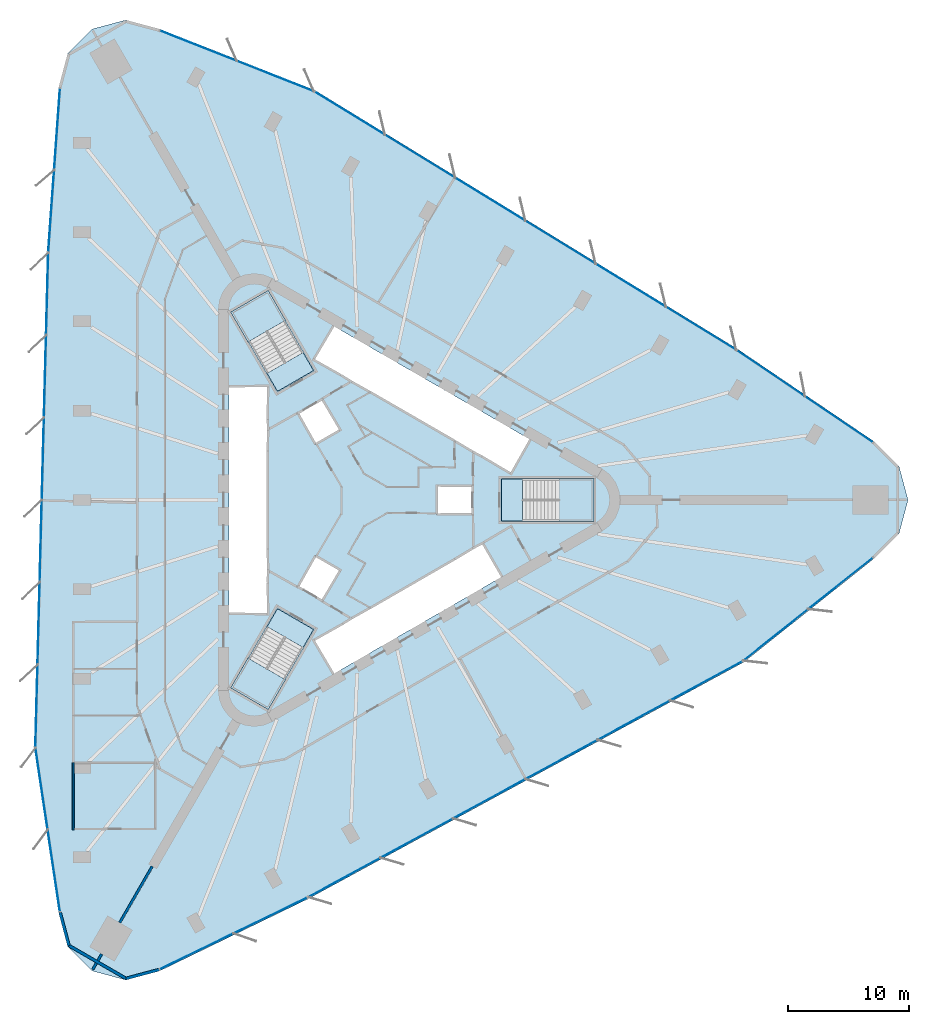
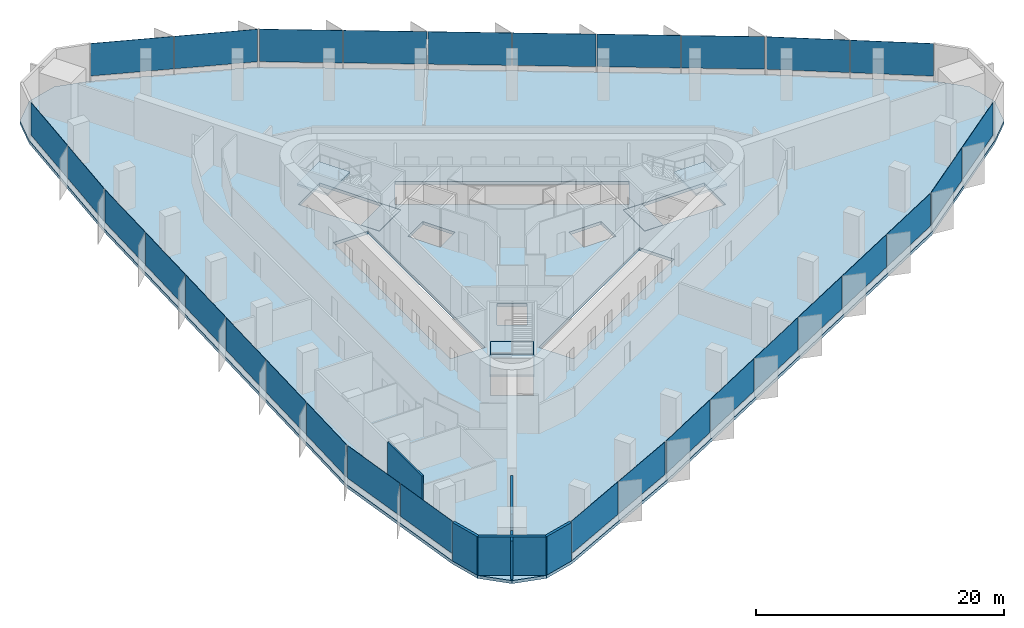
# One storey, part 7 of 13: 30 plates, 7 slabs, 7 walls, 12 elements without a shape of their own.
"""IFC4 building model written with IfcOpenShell, lengths in metres."""

from ifc_helpers import new_model, si_unit, direction, frame, frame_2d, origin, origin_2d, place, context, subcontext, project, spatial, polyline, rectangle, outline, extrude, material, layer, layer_set, type_object, element, aggregate, save


model = new_model("IFC4")

# Units and contexts
model_context = context("Model", 3, precision=1e-05, world=origin(), true_north=direction((0.0, 1.0)))
body_context = subcontext(model_context, "Body", "Model", "MODEL_VIEW")
ifc_project = project(units=[si_unit("LENGTHUNIT", "METRE"), si_unit("AREAUNIT", "SQUARE_METRE"), si_unit("VOLUMEUNIT", "CUBIC_METRE"), si_unit("PLANEANGLEUNIT", "RADIAN"), si_unit("MASSUNIT", "GRAM", prefix="KILO")], contexts=[model_context])

# Site, building, storey
site_placement = place(None, origin())
site = spatial("IfcSite", under=ifc_project, at=site_placement, CompositionType="ELEMENT")
building_placement = place(site_placement, origin())
building = spatial("IfcBuilding", under=site, at=building_placement, Name="Tanit Gate Tower", CompositionType="ELEMENT")
storey_placement = place(building_placement, frame((0.0, 0.0, 61.89990234375)))
storey = spatial("IfcBuildingStorey", under=building, at=storey_placement, Name="L11", CompositionType="ELEMENT", Elevation=61.89990234375)

# Slab
ifc_material_1 = material(Name="Concrete C35/45", Category="concrete")
ifc_layer_1 = layer(ifc_material_1, 0.300048828125)
ifc_layer_set_1 = layer_set([ifc_layer_1], Name="FLOOR SLAB 300 C35/45")
slab_type_1 = type_object("IfcSlabType", Name="FLOOR SLAB 300 C35/45", PredefinedType="FLOOR", material=ifc_layer_set_1)
slab_1_placement = place(storey_placement, frame((0.0, 0.0, -0.2998046875)))
element("IfcSlab", 1, at=slab_1_placement, inside=storey, type_object=slab_type_1, Name="FLOOR SLAB L11", PredefinedType="FLOOR", context=body_context, shape_type="SweptSolid", body=[
    extrude(outline(polyline([(42.225830078125, 4.82861328125), (44.2666015625, 2.78759765625), (45.013671875, 0.0), (44.2666015625, -2.78759765625), (42.225830078125, -4.82861328125), (31.4150390625, -13.427001953125), (-4.61083984375, -32.999267578125), (-16.931396484375, -38.98291015625), (-19.718994140625, -39.72998046875), (-22.5068359375, -38.98291015625), (-24.547607421875, -36.942138671875), (-25.29443359375, -34.154541015625), (-27.335693359375, -20.49267578125), (-26.272705078125, 20.49267578125), (-25.29443359375, 34.154541015625), (-24.547607421875, 36.942138671875), (-22.5068359375, 38.98291015625), (-19.718994140625, 39.72998046875), (-16.931396484375, 38.98291015625), (-4.079345703125, 33.919677734375), (30.883544921875, 12.506591796875), (42.225830078125, 4.82861328125)]), holes=[polyline([(11.3701171875, 1.72998046875), (18.929931640625, 1.72998046875), (18.929931640625, -1.72998046875), (11.3701171875, -1.72998046875), (11.3701171875, 1.72998046875)]), polyline([(-4.208984375, 11.60986328125), (-2.583984375, 14.424560546875), (13.783935546875, 4.974609375), (12.158935546875, 2.159912109375), (-4.208984375, 11.60986328125)]), polyline([(-4.208984375, -11.60986328125), (9.82080078125, -3.510009765625), (11.44580078125, -6.324462890625), (-2.583984375, -14.424560546875), (-4.208984375, -11.60986328125)]), polyline([(9.0, 1.199951171875), (9.0, -1.199951171875), (6.0, -1.199951171875), (6.0, 1.199951171875), (9.0, 1.199951171875)]), polyline([(-5.539306640625, 7.194091796875), (-3.460693359375, 8.394287109375), (-1.960693359375, 5.796142578125), (-4.039306640625, 4.59619140625), (-5.539306640625, 7.194091796875)]), polyline([(-1.960693359375, -5.796142578125), (-3.460693359375, -8.394287109375), (-5.539306640625, -7.194091796875), (-4.039306640625, -4.59619140625), (-1.960693359375, -5.796142578125)]), polyline([(-10.963134765625, 15.52880859375), (-7.966796875, 17.2587890625), (-4.186767578125, 10.711669921875), (-7.18310546875, 8.981689453125), (-10.963134765625, 15.52880859375)]), polyline([(-4.186767578125, -10.711669921875), (-7.966796875, -17.2587890625), (-10.963134765625, -15.52880859375), (-7.18310546875, -8.981689453125), (-4.186767578125, -10.711669921875)]), polyline([(-11.199951171875, -9.449951171875), (-11.199951171875, 9.449951171875), (-7.949951171875, 9.449951171875), (-7.949951171875, -9.449951171875), (-11.199951171875, -9.449951171875)])]), origin(), (0.0, 0.0, 1.0), 0.2998046875),
])

# Curtain wall, plates
ifc_material_2 = material(Name="Aluminium bronze anodised and glass", Category="aluminium")
curtain_wall_type = type_object("IfcCurtainWallType", Name="Curtain wall typical low", PredefinedType="NOTDEFINED", material=ifc_material_2)
curtain_wall_1_placement = place(storey_placement, origin())
curtain_wall_1 = element("IfcCurtainWall", 2, at=curtain_wall_1_placement, inside=storey, type_object=curtain_wall_type, Name="Curtain wall L11 NE1", PredefinedType="NOTDEFINED")
ifc_material_3 = material(Name="Glass tinted", Category="glass")
ifc_layer_2 = layer(ifc_material_3, 0.031982421875)
ifc_layer_set_2 = layer_set([ifc_layer_2], Name="Glass panel 32 typical low")
plate_type = type_object("IfcPlateType", Name="Glass panel 32 typical low", PredefinedType="CURTAIN_PANEL", material=ifc_layer_set_2)
plate_1_placement = place(storey_placement, frame((39.300048828125, 6.664306640625, 0.60009765625), z_axis=(0.0, 0.0, 1.0), x_axis=(-0.828104509627, 0.560573742816, 0.0)))
plate_1 = element("IfcPlate", 3, at=plate_1_placement, type_object=plate_type, Name="Glass panel L11 NE1.1", PredefinedType="CURTAIN_PANEL", context=body_context, shape_type="SweptSolid", body=[
    extrude(rectangle(XDim=6.72119140625, YDim=0.031982421875, at=origin_2d()), origin(), (0.0, 0.0, 1.0), 3.199951171875),
])
plate_2_placement = place(storey_placement, frame((33.667724609375, 10.476806640625, 0.60009765625), z_axis=(0.0, 0.0, 1.0), x_axis=(-0.828104509627, 0.560573742816, 0.0)))
plate_2 = element("IfcPlate", 4, at=plate_2_placement, type_object=plate_type, Name="Glass panel L11 NE1.2", PredefinedType="CURTAIN_PANEL", context=body_context, shape_type="SweptSolid", body=[
    extrude(rectangle(XDim=6.72119140625, YDim=0.031982421875, at=origin_2d()), origin(), (0.0, 0.0, 1.0), 3.199951171875),
])
aggregate(curtain_wall_1, [plate_1, plate_2])

curtain_wall_2_placement = place(storey_placement, origin())
curtain_wall_2 = element("IfcCurtainWall", 5, at=curtain_wall_2_placement, inside=storey, type_object=curtain_wall_type, Name="Curtain wall L11 NE2", PredefinedType="NOTDEFINED")
plate_3_placement = place(storey_placement, frame((27.87744140625, 14.206787109375, 0.60009765625), z_axis=(0.0, 0.0, 1.0), x_axis=(-0.852772356127, 0.522282786071, 0.0)))
plate_3 = element("IfcPlate", 6, at=plate_3_placement, type_object=plate_type, Name="Glass panel L11 NE2.1", PredefinedType="CURTAIN_PANEL", context=body_context, shape_type="SweptSolid", body=[
    extrude(rectangle(XDim=6.73779296875, YDim=0.031982421875, at=origin_2d()), origin(), (0.0, 0.0, 1.0), 3.199951171875),
])
plate_4_placement = place(storey_placement, frame((22.0634765625, 17.767578125, 0.60009765625), z_axis=(0.0, 0.0, 1.0), x_axis=(-0.852772356127, 0.522282786071, 0.0)))
plate_4 = element("IfcPlate", 7, at=plate_4_placement, type_object=plate_type, Name="Glass panel L11 NE2.2", PredefinedType="CURTAIN_PANEL", context=body_context, shape_type="SweptSolid", body=[
    extrude(rectangle(XDim=6.737548828125, YDim=0.031982421875, at=origin_2d()), origin(), (0.0, 0.0, 1.0), 3.199951171875),
])
plate_5_placement = place(storey_placement, frame((16.249755859375, 21.328369140625, 0.60009765625), z_axis=(0.0, 0.0, 1.0), x_axis=(-0.852772356127, 0.522282786071, 0.0)))
plate_5 = element("IfcPlate", 8, at=plate_5_placement, type_object=plate_type, Name="Glass panel L11 NE2.3", PredefinedType="CURTAIN_PANEL", context=body_context, shape_type="SweptSolid", body=[
    extrude(rectangle(XDim=6.73779296875, YDim=0.031982421875, at=origin_2d()), origin(), (0.0, 0.0, 1.0), 3.199951171875),
])
plate_6_placement = place(storey_placement, frame((10.435791015625, 24.88916015625, 0.60009765625), z_axis=(0.0, 0.0, 1.0), x_axis=(-0.852772356127, 0.522282786071, 0.0)))
plate_6 = element("IfcPlate", 9, at=plate_6_placement, type_object=plate_type, Name="Glass panel L11 NE2.4", PredefinedType="CURTAIN_PANEL", context=body_context, shape_type="SweptSolid", body=[
    extrude(rectangle(XDim=6.737548828125, YDim=0.031982421875, at=origin_2d()), origin(), (0.0, 0.0, 1.0), 3.199951171875),
])
plate_7_placement = place(storey_placement, frame((4.621826171875, 28.449951171875, 0.60009765625), z_axis=(0.0, 0.0, 1.0), x_axis=(-0.852772356127, 0.522282786071, 0.0)))
plate_7 = element("IfcPlate", 10, at=plate_7_placement, type_object=plate_type, Name="Glass panel L11 NE2.5", PredefinedType="CURTAIN_PANEL", context=body_context, shape_type="SweptSolid", body=[
    extrude(rectangle(XDim=6.73779296875, YDim=0.031982421875, at=origin_2d()), origin(), (0.0, 0.0, 1.0), 3.199951171875),
])
plate_8_placement = place(storey_placement, frame((-1.192138671875, 32.010498046875, 0.60009765625), z_axis=(0.0, 0.0, 1.0), x_axis=(-0.852772356127, 0.522282786071, 0.0)))
plate_8 = element("IfcPlate", 11, at=plate_8_placement, type_object=plate_type, Name="Glass panel L11 NE2.6", PredefinedType="CURTAIN_PANEL", context=body_context, shape_type="SweptSolid", body=[
    extrude(rectangle(XDim=6.737548828125, YDim=0.031982421875, at=origin_2d()), origin(), (0.0, 0.0, 1.0), 3.199951171875),
])
aggregate(curtain_wall_2, [plate_3, plate_4, plate_5, plate_6, plate_7, plate_8])

curtain_wall_3_placement = place(storey_placement, origin())
curtain_wall_3 = element("IfcCurtainWall", 12, at=curtain_wall_3_placement, inside=storey, type_object=curtain_wall_type, Name="Curtain wall L11 NE3", PredefinedType="NOTDEFINED")
plate_9_placement = place(storey_placement, frame((-7.36083984375, 35.08349609375, 0.60009765625), z_axis=(0.0, 0.0, 1.0), x_axis=(-0.930399205113, 0.366547840159, 0.0)))
plate_9 = element("IfcPlate", 13, at=plate_9_placement, type_object=plate_type, Name="Glass panel L11 NE3.1", PredefinedType="CURTAIN_PANEL", context=body_context, shape_type="SweptSolid", body=[
    extrude(rectangle(XDim=6.778076171875, YDim=0.031982421875, at=origin_2d()), origin(), (0.0, 0.0, 1.0), 3.199951171875),
])
plate_10_placement = place(storey_placement, frame((-13.741455078125, 37.59716796875, 0.60009765625), z_axis=(0.0, 0.0, 1.0), x_axis=(-0.930399205113, 0.366547840159, 0.0)))
plate_10 = element("IfcPlate", 14, at=plate_10_placement, type_object=plate_type, Name="Glass panel L11 NE3.2", PredefinedType="CURTAIN_PANEL", context=body_context, shape_type="SweptSolid", body=[
    extrude(rectangle(XDim=6.778076171875, YDim=0.031982421875, at=origin_2d()), origin(), (0.0, 0.0, 1.0), 3.199951171875),
])
aggregate(curtain_wall_3, [plate_9, plate_10])

curtain_wall_4_placement = place(storey_placement, origin())
curtain_wall_4 = element("IfcCurtainWall", 15, at=curtain_wall_4_placement, inside=storey, type_object=curtain_wall_type, Name="Curtain wall L11 W1", PredefinedType="NOTDEFINED")
plate_11_placement = place(storey_placement, frame((-25.42138671875, 30.70263671875, 0.60009765625), z_axis=(0.0, 0.0, 1.0), x_axis=(-0.07141884716, -0.997446413734, 0.0)))
plate_11 = element("IfcPlate", 16, at=plate_11_placement, type_object=plate_type, Name="Glass panel L11 W1.1", PredefinedType="CURTAIN_PANEL", context=body_context, shape_type="SweptSolid", body=[
    extrude(rectangle(XDim=6.72119140625, YDim=0.031982421875, at=origin_2d()), origin(), (0.0, 0.0, 1.0), 3.199951171875),
])
plate_12_placement = place(storey_placement, frame((-25.9072265625, 23.918701171875, 0.60009765625), z_axis=(0.0, 0.0, 1.0), x_axis=(-0.07141884716, -0.997446413734, 0.0)))
plate_12 = element("IfcPlate", 17, at=plate_12_placement, type_object=plate_type, Name="Glass panel L11 W1.2", PredefinedType="CURTAIN_PANEL", context=body_context, shape_type="SweptSolid", body=[
    extrude(rectangle(XDim=6.72119140625, YDim=0.031982421875, at=origin_2d()), origin(), (0.0, 0.0, 1.0), 3.199951171875),
])
aggregate(curtain_wall_4, [plate_11, plate_12])

curtain_wall_5_placement = place(storey_placement, origin())
curtain_wall_5 = element("IfcCurtainWall", 18, at=curtain_wall_5_placement, inside=storey, type_object=curtain_wall_type, Name="Curtain wall L11 W2", PredefinedType="NOTDEFINED")
plate_13_placement = place(storey_placement, frame((-26.2421875, 17.0390625, 0.60009765625), z_axis=(0.0, 0.0, 1.0), x_axis=(-0.025923982634, -0.999663917086, 0.0)))
plate_13 = element("IfcPlate", 19, at=plate_13_placement, type_object=plate_type, Name="Glass panel L11 W2.1", PredefinedType="CURTAIN_PANEL", context=body_context, shape_type="SweptSolid", body=[
    extrude(rectangle(XDim=6.73779296875, YDim=0.031982421875, at=origin_2d()), origin(), (0.0, 0.0, 1.0), 3.199951171875),
])
plate_14_placement = place(storey_placement, frame((-26.4189453125, 10.223876953125, 0.60009765625), z_axis=(0.0, 0.0, 1.0), x_axis=(-0.025923982634, -0.999663917086, 0.0)))
plate_14 = element("IfcPlate", 20, at=plate_14_placement, type_object=plate_type, Name="Glass panel L11 W2.2", PredefinedType="CURTAIN_PANEL", context=body_context, shape_type="SweptSolid", body=[
    extrude(rectangle(XDim=6.737548828125, YDim=0.031982421875, at=origin_2d()), origin(), (0.0, 0.0, 1.0), 3.199951171875),
])
plate_15_placement = place(storey_placement, frame((-26.595703125, 3.408447265625, 0.60009765625), z_axis=(0.0, 0.0, 1.0), x_axis=(-0.025923982634, -0.999663917086, 0.0)))
plate_15 = element("IfcPlate", 21, at=plate_15_placement, type_object=plate_type, Name="Glass panel L11 W2.3", PredefinedType="CURTAIN_PANEL", context=body_context, shape_type="SweptSolid", body=[
    extrude(rectangle(XDim=6.73779296875, YDim=0.031982421875, at=origin_2d()), origin(), (0.0, 0.0, 1.0), 3.199951171875),
])
plate_16_placement = place(storey_placement, frame((-26.7724609375, -3.406982421875, 0.60009765625), z_axis=(0.0, 0.0, 1.0), x_axis=(-0.025923982634, -0.999663917086, 0.0)))
plate_16 = element("IfcPlate", 22, at=plate_16_placement, type_object=plate_type, Name="Glass panel L11 W2.4", PredefinedType="CURTAIN_PANEL", context=body_context, shape_type="SweptSolid", body=[
    extrude(rectangle(XDim=6.737548828125, YDim=0.031982421875, at=origin_2d()), origin(), (0.0, 0.0, 1.0), 3.199951171875),
])
plate_17_placement = place(storey_placement, frame((-26.94921875, -10.22216796875, 0.60009765625), z_axis=(0.0, 0.0, 1.0), x_axis=(-0.025923982634, -0.999663917086, 0.0)))
plate_17 = element("IfcPlate", 23, at=plate_17_placement, type_object=plate_type, Name="Glass panel L11 W2.5", PredefinedType="CURTAIN_PANEL", context=body_context, shape_type="SweptSolid", body=[
    extrude(rectangle(XDim=6.73779296875, YDim=0.031982421875, at=origin_2d()), origin(), (0.0, 0.0, 1.0), 3.199951171875),
])
plate_18_placement = place(storey_placement, frame((-27.1259765625, -17.03759765625, 0.60009765625), z_axis=(0.0, 0.0, 1.0), x_axis=(-0.025923982634, -0.999663917086, 0.0)))
plate_18 = element("IfcPlate", 24, at=plate_18_placement, type_object=plate_type, Name="Glass panel L11 W2.6", PredefinedType="CURTAIN_PANEL", context=body_context, shape_type="SweptSolid", body=[
    extrude(rectangle(XDim=6.737548828125, YDim=0.031982421875, at=origin_2d()), origin(), (0.0, 0.0, 1.0), 3.199951171875),
])
aggregate(curtain_wall_5, [plate_13, plate_14, plate_15, plate_16, plate_17, plate_18])

curtain_wall_6_placement = place(storey_placement, origin())
curtain_wall_6 = element("IfcCurtainWall", 25, at=curtain_wall_6_placement, inside=storey, type_object=curtain_wall_type, Name="Curtain wall L11 W3", PredefinedType="NOTDEFINED")
plate_19_placement = place(storey_placement, frame((-26.702880859375, -23.916259765625, 0.60009765625), z_axis=(0.0, 0.0, 1.0), x_axis=(0.147759861276, -0.989023267368, 0.0)))
plate_19 = element("IfcPlate", 26, at=plate_19_placement, type_object=plate_type, Name="Glass panel L11 W3.1", PredefinedType="CURTAIN_PANEL", context=body_context, shape_type="SweptSolid", body=[
    extrude(rectangle(XDim=6.778076171875, YDim=0.031982421875, at=origin_2d()), origin(), (0.0, 0.0, 1.0), 3.199951171875),
])
plate_20_placement = place(storey_placement, frame((-25.689453125, -30.698974609375, 0.60009765625), z_axis=(0.0, 0.0, 1.0), x_axis=(0.147759861276, -0.989023267368, 0.0)))
plate_20 = element("IfcPlate", 27, at=plate_20_placement, type_object=plate_type, Name="Glass panel L11 W3.2", PredefinedType="CURTAIN_PANEL", context=body_context, shape_type="SweptSolid", body=[
    extrude(rectangle(XDim=6.778076171875, YDim=0.031982421875, at=origin_2d()), origin(), (0.0, 0.0, 1.0), 3.199951171875),
])
aggregate(curtain_wall_6, [plate_19, plate_20])

curtain_wall_7_placement = place(storey_placement, origin())
curtain_wall_7 = element("IfcCurtainWall", 28, at=curtain_wall_7_placement, inside=storey, type_object=curtain_wall_type, Name="Curtain wall L11 SE1", PredefinedType="NOTDEFINED")
plate_21_placement = place(storey_placement, frame((-13.878662109375, -37.366943359375, 0.60009765625), z_axis=(0.0, 0.0, 1.0), x_axis=(0.899523356787, 0.436872670918, 0.0)))
plate_21 = element("IfcPlate", 29, at=plate_21_placement, type_object=plate_type, Name="Glass panel L11 SE1.1", PredefinedType="CURTAIN_PANEL", context=body_context, shape_type="SweptSolid", body=[
    extrude(rectangle(XDim=6.72119140625, YDim=0.031982421875, at=origin_2d()), origin(), (0.0, 0.0, 1.0), 3.199951171875),
])
plate_22_placement = place(storey_placement, frame((-7.7607421875, -34.3955078125, 0.60009765625), z_axis=(0.0, 0.0, 1.0), x_axis=(0.899523356787, 0.436872670918, 0.0)))
plate_22 = element("IfcPlate", 30, at=plate_22_placement, type_object=plate_type, Name="Glass panel L11 SE1.2", PredefinedType="CURTAIN_PANEL", context=body_context, shape_type="SweptSolid", body=[
    extrude(rectangle(XDim=6.72119140625, YDim=0.031982421875, at=origin_2d()), origin(), (0.0, 0.0, 1.0), 3.199951171875),
])
aggregate(curtain_wall_7, [plate_21, plate_22])

curtain_wall_8_placement = place(storey_placement, origin())
curtain_wall_8 = element("IfcCurtainWall", 31, at=curtain_wall_8_placement, inside=storey, type_object=curtain_wall_type, Name="Curtain wall L11 SE2", PredefinedType="NOTDEFINED")
plate_23_placement = place(storey_placement, frame((-1.63525390625, -31.24609375, 0.60009765625), z_axis=(0.0, 0.0, 1.0), x_axis=(0.87869633876, 0.477381131015, 0.0)))
plate_23 = element("IfcPlate", 32, at=plate_23_placement, type_object=plate_type, Name="Glass panel L11 SE2.1", PredefinedType="CURTAIN_PANEL", context=body_context, shape_type="SweptSolid", body=[
    extrude(rectangle(XDim=6.73779296875, YDim=0.031982421875, at=origin_2d()), origin(), (0.0, 0.0, 1.0), 3.199951171875),
])
plate_24_placement = place(storey_placement, frame((4.35546875, -27.991455078125, 0.60009765625), z_axis=(0.0, 0.0, 1.0), x_axis=(0.87869633876, 0.477381131015, 0.0)))
plate_24 = element("IfcPlate", 33, at=plate_24_placement, type_object=plate_type, Name="Glass panel L11 SE2.2", PredefinedType="CURTAIN_PANEL", context=body_context, shape_type="SweptSolid", body=[
    extrude(rectangle(XDim=6.737548828125, YDim=0.031982421875, at=origin_2d()), origin(), (0.0, 0.0, 1.0), 3.199951171875),
])
plate_25_placement = place(storey_placement, frame((10.34619140625, -24.73681640625, 0.60009765625), z_axis=(0.0, 0.0, 1.0), x_axis=(0.87869633876, 0.477381131015, 0.0)))
plate_25 = element("IfcPlate", 34, at=plate_25_placement, type_object=plate_type, Name="Glass panel L11 SE2.3", PredefinedType="CURTAIN_PANEL", context=body_context, shape_type="SweptSolid", body=[
    extrude(rectangle(XDim=6.73779296875, YDim=0.031982421875, at=origin_2d()), origin(), (0.0, 0.0, 1.0), 3.199951171875),
])
plate_26_placement = place(storey_placement, frame((16.336669921875, -21.482177734375, 0.60009765625), z_axis=(0.0, 0.0, 1.0), x_axis=(0.87869633876, 0.477381131015, 0.0)))
plate_26 = element("IfcPlate", 35, at=plate_26_placement, type_object=plate_type, Name="Glass panel L11 SE2.4", PredefinedType="CURTAIN_PANEL", context=body_context, shape_type="SweptSolid", body=[
    extrude(rectangle(XDim=6.737548828125, YDim=0.031982421875, at=origin_2d()), origin(), (0.0, 0.0, 1.0), 3.199951171875),
])
plate_27_placement = place(storey_placement, frame((22.327392578125, -18.2275390625, 0.60009765625), z_axis=(0.0, 0.0, 1.0), x_axis=(0.87869633876, 0.477381131015, 0.0)))
plate_27 = element("IfcPlate", 36, at=plate_27_placement, type_object=plate_type, Name="Glass panel L11 SE2.5", PredefinedType="CURTAIN_PANEL", context=body_context, shape_type="SweptSolid", body=[
    extrude(rectangle(XDim=6.73779296875, YDim=0.031982421875, at=origin_2d()), origin(), (0.0, 0.0, 1.0), 3.199951171875),
])
plate_28_placement = place(storey_placement, frame((28.318115234375, -14.972900390625, 0.60009765625), z_axis=(0.0, 0.0, 1.0), x_axis=(0.87869633876, 0.477381131015, 0.0)))
plate_28 = element("IfcPlate", 37, at=plate_28_placement, type_object=plate_type, Name="Glass panel L11 SE2.6", PredefinedType="CURTAIN_PANEL", context=body_context, shape_type="SweptSolid", body=[
    extrude(rectangle(XDim=6.737548828125, YDim=0.031982421875, at=origin_2d()), origin(), (0.0, 0.0, 1.0), 3.199951171875),
])
aggregate(curtain_wall_8, [plate_23, plate_24, plate_25, plate_26, plate_27, plate_28])

curtain_wall_9_placement = place(storey_placement, origin())
curtain_wall_9 = element("IfcCurtainWall", 38, at=curtain_wall_9_placement, inside=storey, type_object=curtain_wall_type, Name="Curtain wall L11 SE3", PredefinedType="NOTDEFINED")
plate_29_placement = place(storey_placement, frame((34.0634765625, -11.167236328125, 0.60009765625), z_axis=(0.0, 0.0, 1.0), x_axis=(0.782639343837, 0.622475427209, 0.0)))
plate_29 = element("IfcPlate", 39, at=plate_29_placement, type_object=plate_type, Name="Glass panel L11 SE3.1", PredefinedType="CURTAIN_PANEL", context=body_context, shape_type="SweptSolid", body=[
    extrude(rectangle(XDim=6.778076171875, YDim=0.031982421875, at=origin_2d()), origin(), (0.0, 0.0, 1.0), 3.199951171875),
])
plate_30_placement = place(storey_placement, frame((39.430908203125, -6.898193359375, 0.60009765625), z_axis=(0.0, 0.0, 1.0), x_axis=(0.782639343837, 0.622475427209, 0.0)))
plate_30 = element("IfcPlate", 40, at=plate_30_placement, type_object=plate_type, Name="Glass panel L11 SE3.2", PredefinedType="CURTAIN_PANEL", context=body_context, shape_type="SweptSolid", body=[
    extrude(rectangle(XDim=6.778076171875, YDim=0.031982421875, at=origin_2d()), origin(), (0.0, 0.0, 1.0), 3.199951171875),
])
aggregate(curtain_wall_9, [plate_29, plate_30])

# Stair, slab
ifc_material_4 = material(Name="Concrete C40/50", Category="concrete")
stair_type = type_object("IfcStairType", Name="INT-STAIR-EXIT", PredefinedType="HALF_TURN_STAIR", material=ifc_material_4)
stair_1_placement = place(storey_placement, origin())
stair_1 = element("IfcStair", 41, at=stair_1_placement, inside=storey, type_object=stair_type, Name="L11 STAIR S1", PredefinedType="HALF_TURN_STAIR")
ifc_material_5 = material(Name="Concrete C40/50", Category="concrete")
ifc_layer_3 = layer(ifc_material_5, 0.199951171875)
ifc_layer_set_3 = layer_set([ifc_layer_3], Name="INT-STAIR-LANDING")
slab_type_2 = type_object("IfcSlabType", Name="INT-STAIR-LANDING", PredefinedType="LANDING", material=ifc_layer_set_3)
slab_2_placement = place(storey_placement, frame((0.0, 0.0, 1.85009765625)))
slab_2 = element("IfcSlab", 42, at=slab_2_placement, type_object=slab_type_2, Name="S1 landing 1", PredefinedType="LANDING", context=body_context, shape_type="SweptSolid", body=[
    extrude(outline(polyline([(16.135986328125, -1.800048828125), (19.0, -1.800048828125), (19.0, 1.800048828125), (16.135986328125, 1.800048828125), (16.135986328125, -1.800048828125)])), origin(), (0.0, 0.0, 1.0), 0.199951171875),
])
aggregate(stair_1, [slab_2])

# Slab
slab_3_placement = place(storey_placement, frame((0.0, 0.0, -0.199951171875)))
element("IfcSlab", 43, at=slab_3_placement, inside=storey, type_object=slab_type_2, Name="S1 floor landing", PredefinedType="LANDING", context=body_context, shape_type="SweptSolid", body=[
    extrude(outline(polyline([(11.3798828125, -1.719970703125), (13.10498046875, -1.719970703125), (13.10498046875, 1.719970703125), (11.3798828125, 1.719970703125), (11.3798828125, -1.719970703125)])), origin(), (0.0, 0.0, 1.0), 0.199951171875),
])

# Stair, slab
stair_2_placement = place(storey_placement, origin())
stair_2 = element("IfcStair", 44, at=stair_2_placement, inside=storey, type_object=stair_type, Name="L11 STAIR S2", PredefinedType="HALF_TURN_STAIR")
slab_4_placement = place(storey_placement, frame((0.0, 0.0, 1.85009765625)))
slab_4 = element("IfcSlab", 45, at=slab_4_placement, type_object=slab_type_2, Name="S2 landing 1", PredefinedType="LANDING", context=body_context, shape_type="SweptSolid", body=[
    extrude(outline(polyline([(-6.5078125, 14.871826171875), (-7.941162109375, 17.3544921875), (-11.058837890625, 15.554443359375), (-9.62548828125, 13.07177734375), (-6.5078125, 14.871826171875)])), origin(), (0.0, 0.0, 1.0), 0.199951171875),
])
aggregate(stair_2, [slab_4])

# Slab
slab_5_placement = place(storey_placement, frame((0.0, 0.0, -0.199951171875)))
element("IfcSlab", 46, at=slab_5_placement, inside=storey, type_object=slab_type_2, Name="S2 floor landing", PredefinedType="LANDING", context=body_context, shape_type="SweptSolid", body=[
    extrude(outline(polyline([(-4.200439453125, 10.71533203125), (-5.0625, 12.20849609375), (-8.04150390625, 10.48828125), (-7.179443359375, 8.995361328125), (-4.200439453125, 10.71533203125)])), origin(), (0.0, 0.0, 1.0), 0.199951171875),
])

# Stair, slab
stair_3_placement = place(storey_placement, origin())
stair_3 = element("IfcStair", 47, at=stair_3_placement, inside=storey, type_object=stair_type, Name="L11 STAIR S3", PredefinedType="HALF_TURN_STAIR")
slab_6_placement = place(storey_placement, frame((0.0, 0.0, 1.85009765625)))
slab_6 = element("IfcSlab", 48, at=slab_6_placement, type_object=slab_type_2, Name="S3 landing 1", PredefinedType="LANDING", context=body_context, shape_type="SweptSolid", body=[
    extrude(outline(polyline([(-9.626953125, -13.07421875), (-11.058837890625, -15.554443359375), (-7.941162109375, -17.3544921875), (-6.509033203125, -14.874267578125), (-9.626953125, -13.07421875)])), origin(), (0.0, 0.0, 1.0), 0.199951171875),
])
aggregate(stair_3, [slab_6])

# Slab
slab_7_placement = place(storey_placement, frame((0.0, 0.0, -0.199951171875)))
element("IfcSlab", 49, at=slab_7_placement, inside=storey, type_object=slab_type_2, Name="S3 floor landing", PredefinedType="LANDING", context=body_context, shape_type="SweptSolid", body=[
    extrude(outline(polyline([(-7.179443359375, -8.995361328125), (-8.0419921875, -10.4892578125), (-5.06298828125, -12.209228515625), (-4.200439453125, -10.71533203125), (-7.179443359375, -8.995361328125)])), origin(), (0.0, 0.0, 1.0), 0.199951171875),
])

# Walls
ifc_material_6 = material(Name="Concrete C30/37 with bronze anodised aluminium cladding", Category="concrete")
ifc_layer_4 = layer(ifc_material_6, 0.239990234375)
ifc_layer_set_4 = layer_set([ifc_layer_4], Name="Facade wall bronze clad 240")
wall_type_1 = type_object("IfcWallType", Name="Facade wall bronze clad 240", PredefinedType="SOLIDWALL", material=ifc_layer_set_4)
wall_1_placement = place(storey_placement, frame((-25.1767578125, -34.1298828125, 0.0), z_axis=(0.0, 0.0, 1.0), x_axis=(0.258783231513, -0.9659354218, 0.0)))
element("IfcWall", 50, at=wall_1_placement, inside=storey, type_object=wall_type_1, Name="Bronze-clad facade wall L11 SW.arc1", PredefinedType="SOLIDWALL", context=body_context, shape_type="SweptSolid", body=[
    extrude(rectangle(XDim=2.84716796875, YDim=0.239990234375, at=frame_2d((1.423583984375, 0.0))), origin(), (0.0, 0.0, 1.0), 3.800048828125),
])
wall_2_placement = place(storey_placement, frame((-24.43994140625, -36.880126953125, 0.0), z_axis=(0.0, 0.0, 1.0), x_axis=(0.866029712004, -0.499992537871, 0.0)))
element("IfcWall", 51, at=wall_2_placement, inside=storey, type_object=wall_type_1, Name="Bronze-clad facade wall L11 SW.arc2", PredefinedType="SOLIDWALL", context=body_context, shape_type="SweptSolid", body=[
    extrude(rectangle(XDim=5.451171875, YDim=0.239990234375, at=frame_2d((2.7255859375, 0.0))), origin(), (0.0, 0.0, 1.0), 3.800048828125),
])
wall_3_placement = place(storey_placement, frame((-19.718994140625, -39.605712890625, 0.0), z_axis=(0.0, 0.0, 1.0), x_axis=(0.965933483463, 0.258790466448, 0.0)))
element("IfcWall", 52, at=wall_3_placement, inside=storey, type_object=wall_type_1, Name="Bronze-clad facade wall L11 SW.arc3", PredefinedType="SOLIDWALL", context=body_context, shape_type="SweptSolid", body=[
    extrude(rectangle(XDim=2.842529296875, YDim=0.239990234375, at=frame_2d((1.42138671875, 0.0))), origin(), (0.0, 0.0, 1.0), 3.800048828125),
])
ifc_material_7 = material(Name="Fire-rated gypsum board partition")
ifc_layer_5 = layer(ifc_material_7, 0.199951171875)
ifc_layer_set_5 = layer_set([ifc_layer_5], Name="INT-WALL-COMPARTMENT")
wall_type_2 = type_object("IfcWallType", Name="INT-WALL-COMPARTMENT", PredefinedType="PARTITIONING", material=ifc_layer_set_5)
wall_4_placement = place(storey_placement, frame((-17.54296875, -30.3251953125, 0.0), z_axis=(0.0, 0.0, 1.0), x_axis=(-0.500014458952, -0.866017055744, 0.0)))
element("IfcWall", 53, at=wall_4_placement, inside=storey, type_object=wall_type_2, Name="Wall Compartment W115", PredefinedType="PARTITIONING", context=body_context, shape_type="SweptSolid", body=[
    extrude(rectangle(XDim=5.379638671875, YDim=0.199951171875, at=frame_2d((2.68994140625, 0.0))), origin(), (0.0, 0.0, 1.0), 3.3701171875),
])
wall_5_placement = place(storey_placement, frame((-21.73291015625, -37.582275390625, 0.0), z_axis=(0.0, 0.0, 1.0), x_axis=(-0.49966612908, -0.86621807846, 0.0)))
element("IfcWall", 54, at=wall_5_placement, inside=storey, type_object=wall_type_2, Name="Wall Compartment W114", PredefinedType="PARTITIONING", context=body_context, shape_type="SweptSolid", body=[
    extrude(rectangle(XDim=0.62548828125, YDim=0.199951171875, at=frame_2d((0.312744140625, 0.0))), origin(), (0.0, 0.0, 1.0), 3.800048828125),
])
wall_6_placement = place(storey_placement, frame((-22.16552734375, -38.331787109375, 0.0), z_axis=(0.0, 0.0, 1.0), x_axis=(-0.499757541684, -0.866165341912, 0.0)))
element("IfcWall", 55, at=wall_6_placement, inside=storey, type_object=wall_type_2, Name="Wall Compartment W114x1", PredefinedType="PARTITIONING", context=body_context, shape_type="SweptSolid", body=[
    extrude(rectangle(XDim=0.602294921875, YDim=0.199951171875, at=frame_2d((0.30126953125, 0.0))), origin(), (0.0, 0.0, 1.0), 3.800048828125),
])
ifc_material_8 = material(Name="Fire-rated gypsum board partition")
ifc_layer_6 = layer(ifc_material_8, 0.14990234375)
ifc_layer_set_6 = layer_set([ifc_layer_6], Name="INT-WALL-RISER")
wall_type_3 = type_object("IfcWallType", Name="INT-WALL-RISER", PredefinedType="PLUMBINGWALL", material=ifc_layer_set_6)
wall_7_placement = place(storey_placement, frame((-24.080078125, -27.304931640625, 0.0), z_axis=(0.0, 0.0, 1.0), x_axis=(0.0, 1.0, 0.0)))
element("IfcWall", 56, at=wall_7_placement, inside=storey, type_object=wall_type_3, Name="Wall Riser W121", PredefinedType="PLUMBINGWALL", context=body_context, shape_type="SweptSolid", body=[
    extrude(rectangle(XDim=5.57177734375, YDim=0.14990234375, at=frame_2d((2.785888671875, 0.0))), origin(), (0.0, 0.0, 1.0), 3.800048828125),
])

save(model, "model.ifc")
